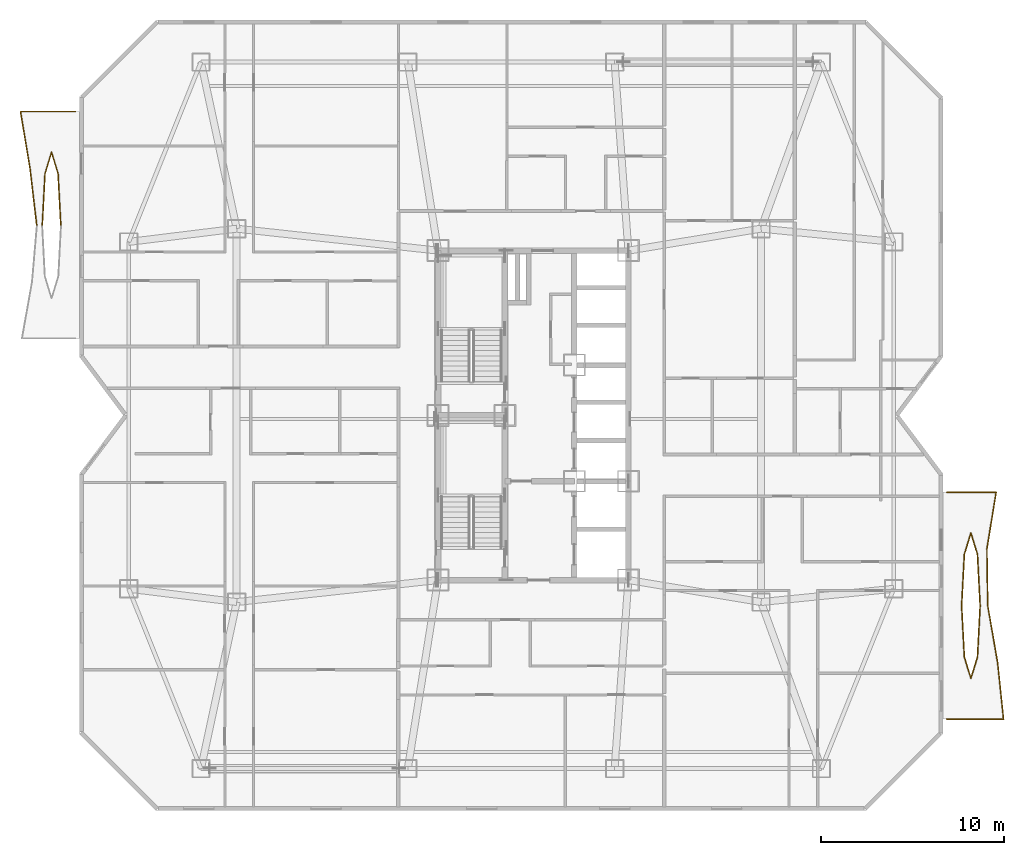
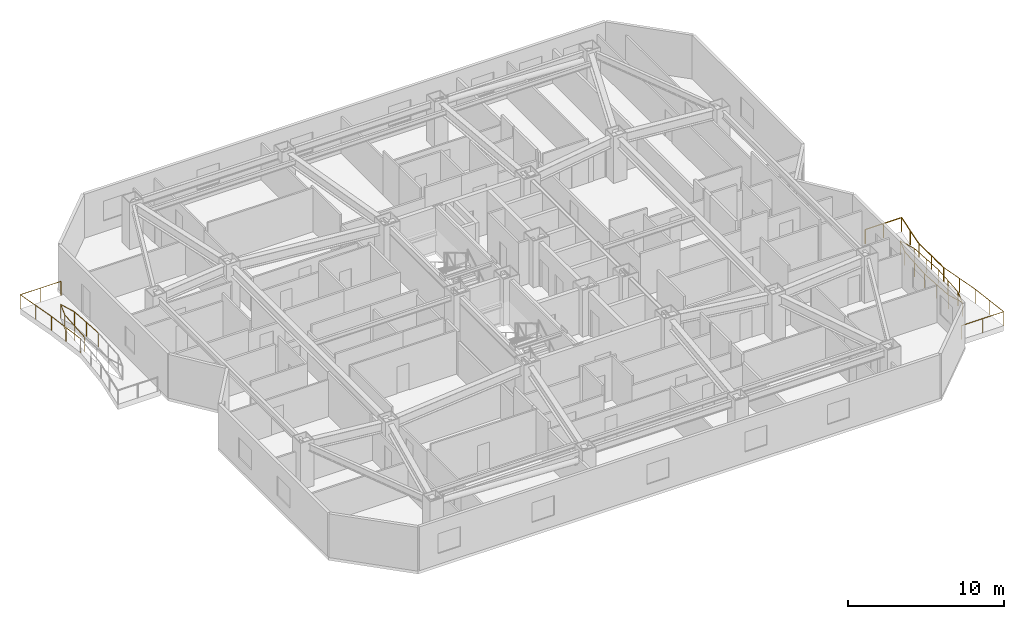
# One storey, part 14 of 14: 6 railings.
"""IFC4 building model written with IfcOpenShell, lengths in metres."""

from ifc_helpers import new_model, si_unit, direction, frame, origin, origin_2d, place, context, subcontext, project, spatial, circle, extrude, material, type_object, element, save


model = new_model("IFC4")

# Units and contexts
model_context = context("Model", 3, precision=1e-05, world=origin(), true_north=direction((0.0, 1.0)))
body_context = subcontext(model_context, "Body", "Model", "MODEL_VIEW")
ifc_project = project(units=[si_unit("LENGTHUNIT", "METRE"), si_unit("AREAUNIT", "SQUARE_METRE"), si_unit("VOLUMEUNIT", "CUBIC_METRE"), si_unit("PLANEANGLEUNIT", "RADIAN"), si_unit("MASSUNIT", "GRAM", prefix="KILO")], contexts=[model_context])

# Site, building, storey
site_placement = place(None, origin())
site = spatial("IfcSite", under=ifc_project, at=site_placement, CompositionType="ELEMENT")
building_placement = place(site_placement, origin())
building = spatial("IfcBuilding", under=site, at=building_placement, Name="Khamvora Tower", CompositionType="ELEMENT")
storey_placement = place(building_placement, frame((0.0, 0.0, 123.800048828125)))
storey = spatial("IfcBuildingStorey", under=building, at=storey_placement, Name="L31", CompositionType="ELEMENT", Elevation=123.800048828125)

# Railings
ifc_material = material(Name="Stainless Steel 316 and Laminated Glass", Category="steel")
railing_type = type_object("IfcRailingType", Name="RAL-GAL-1120", PredefinedType="GUARDRAIL", material=ifc_material)
railing_1_placement = place(storey_placement, frame((56.800048828125, 11.39990234375, 0.0)))
element("IfcRailing", 1, at=railing_1_placement, inside=storey, type_object=railing_type, Name="L31 lens gallery south perimeter guardrail EL1", PredefinedType="GUARDRAIL", context=body_context, shape_type="SweptSolid", body=[
    extrude(circle(Radius=0.02392578125, at=origin_2d()), frame((0.0, 0.0, 1.09619140625), z_axis=(1.0, 0.0, 0.0), x_axis=(0.0, 1.0, 0.0)), (0.0, 0.0, 1.0), 3.099853515625),
    extrude(circle(Radius=0.02392578125, at=origin_2d()), frame((3.099853515625, 0.0, 1.09619140625), z_axis=(-0.10424852351, 0.994551278389, 0.0), x_axis=(-0.994551278389, -0.10424852351, 0.0)), (0.0, 0.0, 1.0), 3.1171875),
    extrude(circle(Radius=0.02392578125, at=origin_2d()), frame((2.77490234375, 3.10009765625, 1.09619140625), z_axis=(-0.170938386322, 0.98528172016, 0.0), x_axis=(-0.98528172016, -0.170938386322, 0.0)), (0.0, 0.0, 1.0), 3.146484375),
    extrude(circle(Radius=0.02099609375, at=origin_2d()), origin(), (0.0, 0.0, 1.0), 1.072021484375),
    extrude(circle(Radius=0.02099609375, at=origin_2d()), frame((1.5498046875, 0.0, 0.0)), (0.0, 0.0, 1.0), 1.072021484375),
    extrude(circle(Radius=0.02099609375, at=origin_2d()), frame((3.099853515625, 0.0, 0.0)), (0.0, 0.0, 1.0), 1.072021484375),
    extrude(circle(Radius=0.02099609375, at=origin_2d()), frame((2.9375, 1.550048828125, 0.0)), (0.0, 0.0, 1.0), 1.072021484375),
    extrude(circle(Radius=0.02099609375, at=origin_2d()), frame((2.77490234375, 3.10009765625, 0.0)), (0.0, 0.0, 1.0), 1.072021484375),
    extrude(circle(Radius=0.02099609375, at=origin_2d()), frame((2.505859375, 4.650146484375, 0.0)), (0.0, 0.0, 1.0), 1.072021484375),
    extrude(circle(Radius=0.02099609375, at=origin_2d()), frame((2.237060546875, 6.2001953125, 0.0)), (0.0, 0.0, 1.0), 1.072021484375),
])
railing_2_placement = place(storey_placement, frame((59.037109375, 17.60009765625, 0.0)))
element("IfcRailing", 2, at=railing_2_placement, inside=storey, type_object=railing_type, Name="L31 lens gallery north perimeter guardrail EL1", PredefinedType="GUARDRAIL", context=body_context, shape_type="SweptSolid", body=[
    extrude(circle(Radius=0.02392578125, at=origin_2d()), frame((0.0, 0.0, 1.09619140625), z_axis=(-0.014883757156, 0.999889230752, 0.0), x_axis=(-0.999889230752, -0.014883757156, 0.0)), (0.0, 0.0, 1.0), 3.10009765625),
    extrude(circle(Radius=0.02392578125, at=origin_2d()), frame((-0.046142578125, 3.099853515625, 1.09619140625), z_axis=(0.160818237364, 0.986984039654, 0.0), x_axis=(-0.986984039654, 0.160818237364, 0.0)), (0.0, 0.0, 1.0), 3.140869140625),
    extrude(circle(Radius=0.02392578125, at=origin_2d()), frame((0.458984375, 6.199951171875, 1.09619140625), z_axis=(-1.0, 0.0, 0.0), x_axis=(0.0, -1.0, 0.0)), (0.0, 0.0, 1.0), 2.696044921875),
    extrude(circle(Radius=0.02099609375, at=origin_2d()), origin(), (0.0, 0.0, 1.0), 1.072021484375),
    extrude(circle(Radius=0.02099609375, at=origin_2d()), frame((-0.02294921875, 1.5498046875, 0.0)), (0.0, 0.0, 1.0), 1.072021484375),
    extrude(circle(Radius=0.02099609375, at=origin_2d()), frame((-0.046142578125, 3.099853515625, 0.0)), (0.0, 0.0, 1.0), 1.072021484375),
    extrude(circle(Radius=0.02099609375, at=origin_2d()), frame((0.20654296875, 4.64990234375, 0.0)), (0.0, 0.0, 1.0), 1.072021484375),
    extrude(circle(Radius=0.02099609375, at=origin_2d()), frame((0.458984375, 6.199951171875, 0.0)), (0.0, 0.0, 1.0), 1.072021484375),
    extrude(circle(Radius=0.02099609375, at=origin_2d()), frame((-0.88916015625, 6.199951171875, 0.0)), (0.0, 0.0, 1.0), 1.072021484375),
    extrude(circle(Radius=0.02099609375, at=origin_2d()), frame((-2.237060546875, 6.199951171875, 0.0)), (0.0, 0.0, 1.0), 1.072021484375),
])
railing_3_placement = place(storey_placement, frame((58.618896484375, 17.60009765625, 0.0)))
element("IfcRailing", 3, at=railing_3_placement, inside=storey, type_object=railing_type, Name="L31 lens gallery void guardrail EL1A", PredefinedType="GUARDRAIL", context=body_context, shape_type="SweptSolid", body=[
    extrude(circle(Radius=0.02392578125, at=origin_2d()), frame((0.0, 0.0, 1.09619140625), z_axis=(-0.052654602562, 0.998612784231, 0.0), x_axis=(-0.998612784231, -0.052654602562, 0.0)), (0.0, 0.0, 1.0), 2.809814453125),
    extrude(circle(Radius=0.02392578125, at=origin_2d()), frame((-0.14794921875, 2.805908203125, 1.09619140625), z_axis=(-0.292871691974, 0.956151751575, 0.0), x_axis=(-0.956151751575, -0.292871691974, 0.0)), (0.0, 0.0, 1.0), 1.21533203125),
    extrude(circle(Radius=0.02392578125, at=origin_2d()), frame((-0.50390625, 3.968017578125, 1.09619140625), z_axis=(-0.292871691974, -0.956151751575, 0.0), x_axis=(0.956151751575, -0.292871691974, 0.0)), (0.0, 0.0, 1.0), 1.21533203125),
    extrude(circle(Radius=0.02392578125, at=origin_2d()), frame((-0.85986328125, 2.805908203125, 1.09619140625), z_axis=(-0.052654602562, -0.998612784231, 0.0), x_axis=(0.998612784231, -0.052654602562, 0.0)), (0.0, 0.0, 1.0), 2.809814453125),
    extrude(circle(Radius=0.02099609375, at=origin_2d()), origin(), (0.0, 0.0, 1.0), 1.072021484375),
    extrude(circle(Radius=0.02099609375, at=origin_2d()), frame((-0.073974609375, 1.40283203125, 0.0)), (0.0, 0.0, 1.0), 1.072021484375),
    extrude(circle(Radius=0.02099609375, at=origin_2d()), frame((-0.14794921875, 2.805908203125, 0.0)), (0.0, 0.0, 1.0), 1.072021484375),
    extrude(circle(Radius=0.02099609375, at=origin_2d()), frame((-0.50390625, 3.968017578125, 0.0)), (0.0, 0.0, 1.0), 1.072021484375),
    extrude(circle(Radius=0.02099609375, at=origin_2d()), frame((-0.85986328125, 2.805908203125, 0.0)), (0.0, 0.0, 1.0), 1.072021484375),
    extrude(circle(Radius=0.02099609375, at=origin_2d()), frame((-0.933837890625, 1.40283203125, 0.0)), (0.0, 0.0, 1.0), 1.072021484375),
    extrude(circle(Radius=0.02099609375, at=origin_2d()), frame((-1.0078125, 0.0, 0.0)), (0.0, 0.0, 1.0), 1.072021484375),
])
railing_4_placement = place(storey_placement, frame((57.611083984375, 17.60009765625, 0.0)))
element("IfcRailing", 4, at=railing_4_placement, inside=storey, type_object=railing_type, Name="L31 lens gallery void guardrail EL1B", PredefinedType="GUARDRAIL", context=body_context, shape_type="SweptSolid", body=[
    extrude(circle(Radius=0.02392578125, at=origin_2d()), frame((0.0, 0.0, 1.09619140625), z_axis=(0.05265003421, -0.998613025099, 0.0), x_axis=(0.998613025099, 0.05265003421, 0.0)), (0.0, 0.0, 1.0), 2.81005859375),
    extrude(circle(Radius=0.02392578125, at=origin_2d()), frame((0.14794921875, -2.80615234375, 1.09619140625), z_axis=(0.292927952476, -0.956134517031, 0.0), x_axis=(0.956134517031, 0.292927952476, 0.0)), (0.0, 0.0, 1.0), 1.215087890625),
    extrude(circle(Radius=0.02392578125, at=origin_2d()), frame((0.50390625, -3.968017578125, 1.09619140625), z_axis=(0.292927952476, 0.956134517031, 0.0), x_axis=(-0.956134517031, 0.292927952476, 0.0)), (0.0, 0.0, 1.0), 1.215087890625),
    extrude(circle(Radius=0.02392578125, at=origin_2d()), frame((0.85986328125, -2.80615234375, 1.09619140625), z_axis=(0.05265003421, 0.998613025099, 0.0), x_axis=(-0.998613025099, 0.05265003421, 0.0)), (0.0, 0.0, 1.0), 2.81005859375),
    extrude(circle(Radius=0.02099609375, at=origin_2d()), origin(), (0.0, 0.0, 1.0), 1.072021484375),
    extrude(circle(Radius=0.02099609375, at=origin_2d()), frame((0.073974609375, -1.403076171875, 0.0)), (0.0, 0.0, 1.0), 1.072021484375),
    extrude(circle(Radius=0.02099609375, at=origin_2d()), frame((0.14794921875, -2.80615234375, 0.0)), (0.0, 0.0, 1.0), 1.072021484375),
    extrude(circle(Radius=0.02099609375, at=origin_2d()), frame((0.50390625, -3.968017578125, 0.0)), (0.0, 0.0, 1.0), 1.072021484375),
    extrude(circle(Radius=0.02099609375, at=origin_2d()), frame((0.85986328125, -2.80615234375, 0.0)), (0.0, 0.0, 1.0), 1.072021484375),
    extrude(circle(Radius=0.02099609375, at=origin_2d()), frame((0.933837890625, -1.403076171875, 0.0)), (0.0, 0.0, 1.0), 1.072021484375),
    extrude(circle(Radius=0.02099609375, at=origin_2d()), frame((1.0078125, 0.0, 0.0)), (0.0, 0.0, 1.0), 1.072021484375),
])
railing_5_placement = place(storey_placement, frame((7.072021484375, 38.39990234375, 0.0)))
element("IfcRailing", 5, at=railing_5_placement, inside=storey, type_object=railing_type, Name="L31 lens gallery north perimeter guardrail WL2", PredefinedType="GUARDRAIL", context=body_context, shape_type="SweptSolid", body=[
    extrude(circle(Radius=0.02392578125, at=origin_2d()), frame((0.0, 0.0, 1.09619140625), z_axis=(-0.117236022749, 0.993104080633, 0.0), x_axis=(-0.993104080633, -0.117236022749, 0.0)), (0.0, 0.0, 1.0), 3.12158203125),
    extrude(circle(Radius=0.02392578125, at=origin_2d()), frame((-0.365966796875, 3.10009765625, 1.09619140625), z_axis=(-0.16573380853, 0.986170525168, 0.0), x_axis=(-0.986170525168, -0.16573380853, 0.0)), (0.0, 0.0, 1.0), 3.1435546875),
    extrude(circle(Radius=0.02392578125, at=origin_2d()), frame((-0.886962890625, 6.2001953125, 1.09619140625), z_axis=(1.0, 0.0, 0.0), x_axis=(0.0, 1.0, 0.0)), (0.0, 0.0, 1.0), 3.014892578125),
    extrude(circle(Radius=0.02099609375, at=origin_2d()), origin(), (0.0, 0.0, 1.0), 1.072021484375),
    extrude(circle(Radius=0.02099609375, at=origin_2d()), frame((-0.18310546875, 1.550048828125, 0.0)), (0.0, 0.0, 1.0), 1.072021484375),
    extrude(circle(Radius=0.02099609375, at=origin_2d()), frame((-0.365966796875, 3.10009765625, 0.0)), (0.0, 0.0, 1.0), 1.072021484375),
    extrude(circle(Radius=0.02099609375, at=origin_2d()), frame((-0.62646484375, 4.650146484375, 0.0)), (0.0, 0.0, 1.0), 1.072021484375),
    extrude(circle(Radius=0.02099609375, at=origin_2d()), frame((-0.886962890625, 6.2001953125, 0.0)), (0.0, 0.0, 1.0), 1.072021484375),
    extrude(circle(Radius=0.02099609375, at=origin_2d()), frame((0.62060546875, 6.2001953125, 0.0)), (0.0, 0.0, 1.0), 1.072021484375),
    extrude(circle(Radius=0.02099609375, at=origin_2d()), frame((2.1279296875, 6.2001953125, 0.0)), (0.0, 0.0, 1.0), 1.072021484375),
])
railing_6_placement = place(storey_placement, frame((8.388916015625, 38.39990234375, 0.0)))
element("IfcRailing", 6, at=railing_6_placement, inside=storey, type_object=railing_type, Name="L31 lens gallery void guardrail WL2A", PredefinedType="GUARDRAIL", context=body_context, shape_type="SweptSolid", body=[
    extrude(circle(Radius=0.02392578125, at=origin_2d()), frame((0.0, 0.0, 1.09619140625), z_axis=(-0.05265003421, 0.998613025099, 0.0), x_axis=(-0.998613025099, -0.05265003421, 0.0)), (0.0, 0.0, 1.0), 2.81005859375),
    extrude(circle(Radius=0.02392578125, at=origin_2d()), frame((-0.14794921875, 2.80615234375, 1.09619140625), z_axis=(-0.292927952476, 0.956134517031, 0.0), x_axis=(-0.956134517031, -0.292927952476, 0.0)), (0.0, 0.0, 1.0), 1.215087890625),
    extrude(circle(Radius=0.02392578125, at=origin_2d()), frame((-0.50390625, 3.968017578125, 1.09619140625), z_axis=(-0.292927952476, -0.956134517031, 0.0), x_axis=(0.956134517031, -0.292927952476, 0.0)), (0.0, 0.0, 1.0), 1.215087890625),
    extrude(circle(Radius=0.02392578125, at=origin_2d()), frame((-0.85986328125, 2.80615234375, 1.09619140625), z_axis=(-0.05265003421, -0.998613025099, 0.0), x_axis=(0.998613025099, -0.05265003421, 0.0)), (0.0, 0.0, 1.0), 2.81005859375),
    extrude(circle(Radius=0.02099609375, at=origin_2d()), origin(), (0.0, 0.0, 1.0), 1.072021484375),
    extrude(circle(Radius=0.02099609375, at=origin_2d()), frame((-0.073974609375, 1.403076171875, 0.0)), (0.0, 0.0, 1.0), 1.072021484375),
    extrude(circle(Radius=0.02099609375, at=origin_2d()), frame((-0.14794921875, 2.80615234375, 0.0)), (0.0, 0.0, 1.0), 1.072021484375),
    extrude(circle(Radius=0.02099609375, at=origin_2d()), frame((-0.50390625, 3.968017578125, 0.0)), (0.0, 0.0, 1.0), 1.072021484375),
    extrude(circle(Radius=0.02099609375, at=origin_2d()), frame((-0.85986328125, 2.80615234375, 0.0)), (0.0, 0.0, 1.0), 1.072021484375),
    extrude(circle(Radius=0.02099609375, at=origin_2d()), frame((-0.933837890625, 1.403076171875, 0.0)), (0.0, 0.0, 1.0), 1.072021484375),
    extrude(circle(Radius=0.02099609375, at=origin_2d()), frame((-1.0078125, 0.0, 0.0)), (0.0, 0.0, 1.0), 1.072021484375),
])

save(model, "model.ifc")
